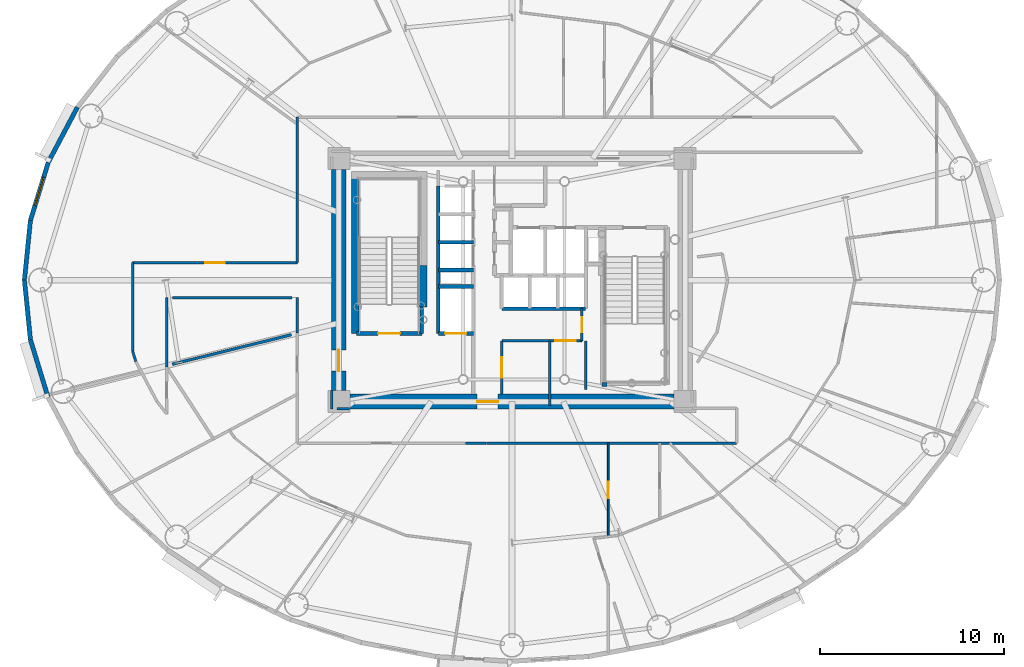
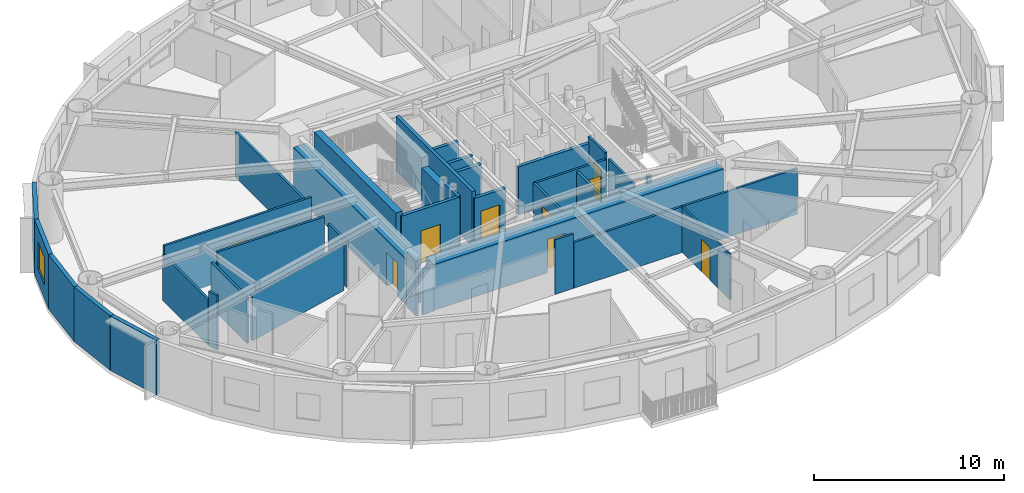
# One storey, part 9 of 19: 36 walls, 9 doors, 1 window, 10 openings.
"""IFC4 building model written with IfcOpenShell, lengths in metres."""

from ifc_helpers import new_model, si_unit, direction, frame, frame_2d, origin, origin_2d, place, context, subcontext, project, spatial, rectangle, extrude, source, transform, mapped, material, layer, layer_set, type_object, element, fill, save


model = new_model("IFC4")

# Units and contexts
model_context = context("Model", 3, precision=1e-05, world=origin(), true_north=direction((0.0, 1.0)))
body_context = subcontext(model_context, "Body", "Model", "MODEL_VIEW")
ifc_project = project(units=[si_unit("LENGTHUNIT", "METRE"), si_unit("AREAUNIT", "SQUARE_METRE"), si_unit("VOLUMEUNIT", "CUBIC_METRE"), si_unit("PLANEANGLEUNIT", "RADIAN"), si_unit("MASSUNIT", "GRAM", prefix="KILO")], contexts=[model_context])

# Site, building, storey
site_placement = place(None, origin())
site = spatial("IfcSite", under=ifc_project, at=site_placement, CompositionType="ELEMENT")
building_placement = place(site_placement, origin())
building = spatial("IfcBuilding", under=site, at=building_placement, Name="Linh Dai School and Residence Tower", CompositionType="ELEMENT")
storey_placement = place(building_placement, frame((0.0, 0.0, 193.64990234375)))
storey = spatial("IfcBuildingStorey", under=building, at=storey_placement, Name="L47", CompositionType="ELEMENT", Elevation=193.64990234375)

# Wall
ifc_material_1 = material(Name="Precast Concrete B45 (C35/45)", Category="concrete")
ifc_layer_1 = layer(ifc_material_1, 0.239990234375)
ifc_layer_set_1 = layer_set([ifc_layer_1], Name="Precast Concrete B45 (C35/45)")
wall_type_1 = type_object("IfcWallType", Name="EW-TC-240", PredefinedType="SOLIDWALL", material=ifc_layer_set_1)
wall_1_placement = place(storey_placement, frame((10.8173828125, 33.388916015625, 0.0), z_axis=(0.0, 0.0, 1.0), x_axis=(0.467586874938, 0.88394712194, 0.0)))
element("IfcWall", 1, at=wall_1_placement, inside=storey, type_object=wall_type_1, Name="L47 Terracotta Exterior Wall 18", PredefinedType="SOLIDWALL", context=body_context, shape_type="SweptSolid", body=[
    extrude(rectangle(XDim=3.393310546875, YDim=0.239990234375, at=frame_2d((1.69677734375, 0.0))), origin(), (0.0, 0.0, 1.0), 3.5),
])

# Wall, opening, window
wall_2_placement = place(storey_placement, frame((9.85009765625, 30.233642578125, 0.0), z_axis=(0.0, 0.0, 1.0), x_axis=(0.293097995113, 0.956082405058, 0.0)))
wall_2 = element("IfcWall", 2, at=wall_2_placement, inside=storey, type_object=wall_type_1, Name="L47 Terracotta Exterior Wall 19", PredefinedType="SOLIDWALL", context=body_context, shape_type="SweptSolid", body=[
    extrude(rectangle(XDim=3.30029296875, YDim=0.239990234375, at=frame_2d((1.650146484375, 0.0))), origin(), (0.0, 0.0, 1.0), 3.5),
])
opening_1_placement = place(wall_2_placement, frame((0.85009765625, 0.0, 0.89990234375)))
opening_1 = element("IfcOpeningElement", 3, at=opening_1_placement, cuts=wall_2, Name="Opening W2", PredefinedType="OPENING", context=body_context, shape_type="SweptSolid", body=[
    extrude(rectangle(XDim=1.60009765625, YDim=1.75, at=origin_2d()), frame((0.800048828125, 0.1298828125, 0.875), z_axis=(0.0, -1.0, 0.0), x_axis=(1.0, 0.0, 0.0)), (0.0, 0.0, 1.0), 0.260009765625),
])
ifc_material_2 = material(Name="Double Low-E Insulated Glazing", Category="glass")
window_type = type_object("IfcWindowType", Name="WN-RES-1600x1750", PartitioningType="DOUBLE_PANEL_VERTICAL", PredefinedType="WINDOW", material=ifc_material_2)
shared_shape_1 = source(origin(), body_context, "Body", "SweptSolid", [
    extrude(rectangle(XDim=1.60009765625, YDim=1.75, at=origin_2d()), frame((0.800048828125, 0.030029296875, 0.875), z_axis=(0.0, -1.0, 0.0), x_axis=(1.0, 0.0, 0.0)), (0.0, 0.0, 1.0), 0.06005859375),
])
window_placement = place(opening_1_placement, origin())
window = element("IfcWindow", 4, at=window_placement, inside=storey, type_object=window_type, Name="L47 Exterior Window 19.1", OverallHeight=1.75, OverallWidth=1.60009765625, PartitioningType="DOUBLE_PANEL_VERTICAL", PredefinedType="WINDOW", context=body_context, shape_type="MappedRepresentation", body=[
    mapped(shared_shape_1, transform((0.0, 0.0, 0.0), x_axis=(1.0, 0.0, 0.0), y_axis=(0.0, 1.0, 0.0), z_axis=(0.0, 0.0, 1.0), scale=1.0)),
])
fill(opening_1, window)

# Walls
for number, where, z_axis, x_axis, name in (
    (5, (9.52490234375, 27.0, 0.0), (0.0, 0.0, 1.0), (0.100061534614, 0.994981250723, 0.0), "L47 Terracotta Exterior Wall 20"),
    (6, (9.85009765625, 23.766357421875, 0.0), (0.0, 0.0, 1.0), (-0.100061534614, 0.994981250723, 0.0), "L47 Terracotta Exterior Wall 21"),
):
    element("IfcWall", number, at=place(storey_placement, frame(where, z_axis=z_axis, x_axis=x_axis)), inside=storey, type_object=wall_type_1, Name=name, PredefinedType="SOLIDWALL", context=body_context, shape_type="SweptSolid", body=[
        extrude(rectangle(XDim=3.25, YDim=0.239990234375, at=frame_2d((1.625, 0.0))), origin(), (0.0, 0.0, 1.0), 3.5),
    ])
wall_3_placement = place(storey_placement, frame((10.8173828125, 20.611083984375, 0.0), z_axis=(0.0, 0.0, 1.0), x_axis=(-0.293097995113, 0.956082405058, 0.0)))
element("IfcWall", 7, at=wall_3_placement, inside=storey, type_object=wall_type_1, Name="L47 Terracotta Exterior Wall 22", PredefinedType="SOLIDWALL", context=body_context, shape_type="SweptSolid", body=[
    extrude(rectangle(XDim=3.30029296875, YDim=0.239990234375, at=frame_2d((1.650146484375, 0.0))), origin(), (0.0, 0.0, 1.0), 3.5),
])
ifc_material_3 = material(Name="Autoclaved Aerated Concrete Blockwork", Category="masonry")
ifc_layer_2 = layer(ifc_material_3, 0.135009765625)
ifc_layer_set_2 = layer_set([ifc_layer_2], Name="Autoclaved Aerated Concrete Blockwork")
wall_type_2 = type_object("IfcWallType", Name="IW-CORR-135-EI90", PredefinedType="PARTITIONING", material=ifc_layer_set_2)
wall_4_placement = place(storey_placement, frame((15.39990234375, 23.14599609375, 0.0), z_axis=(0.0, 0.0, 1.0), x_axis=(0.0, 1.0, 0.0)))
element("IfcWall", 8, at=wall_4_placement, inside=storey, type_object=wall_type_2, Name="L47 Interior Partition Wall 003", PredefinedType="PARTITIONING", context=body_context, shape_type="SweptSolid", body=[
    extrude(rectangle(XDim=4.803955078125, YDim=0.135009765625, at=frame_2d((2.40185546875, 0.0))), origin(), (0.0, 0.0, 1.0), 2.93505859375),
])
wall_5_placement = place(storey_placement, frame((15.39990234375, 23.14599609375, 0.0), z_axis=(0.0, 0.0, 1.0), x_axis=(0.293335154151, -0.956009669061, 0.0)))
element("IfcWall", 9, at=wall_5_placement, inside=storey, type_object=wall_type_2, Name="L47 Interior Partition Wall 004", PredefinedType="PARTITIONING", context=body_context, shape_type="SweptSolid", body=[
    extrude(rectangle(XDim=0.59423828125, YDim=0.135009765625, at=frame_2d((0.297119140625, 0.0))), origin(), (0.0, 0.0, 1.0), 3.5),
])

# Wall, opening, door
wall_6_placement = place(storey_placement, frame((15.39990234375, 27.949951171875, 0.0), z_axis=(0.0, 0.0, 1.0), x_axis=(1.0, 0.0, 0.0)))
wall_6 = element("IfcWall", 10, at=wall_6_placement, inside=storey, type_object=wall_type_2, Name="L47 Interior Partition Wall 005", PredefinedType="PARTITIONING", context=body_context, shape_type="SweptSolid", body=[
    extrude(rectangle(XDim=8.9501953125, YDim=0.135009765625, at=frame_2d((4.47509765625, 0.0))), origin(), (0.0, 0.0, 1.0), 3.5),
])
opening_2_placement = place(wall_6_placement, frame((3.949951171875, 0.0, 0.0)))
opening_2 = element("IfcOpeningElement", 11, at=opening_2_placement, cuts=wall_6, Name="Opening D04", PredefinedType="OPENING", context=body_context, shape_type="SweptSolid", body=[
    extrude(rectangle(XDim=1.050048828125, YDim=2.14990234375, at=origin_2d()), frame((0.52490234375, 0.07763671875, 1.074951171875), z_axis=(0.0, -1.0, 0.0), x_axis=(1.0, 0.0, 0.0)), (0.0, 0.0, 1.0), 0.155029296875),
])
ifc_material_4 = material(Name="Acoustic Vision-Panel Timber Classroom Door", Category="wood")
door_type_1 = type_object("IfcDoorType", Name="DR-SCH-1050x2150-FD60S", OperationType="NOTDEFINED", PredefinedType="DOOR", material=ifc_material_4)
shared_shape_2 = source(origin(), body_context, "Body", "SweptSolid", [
    extrude(rectangle(XDim=1.050048828125, YDim=2.14990234375, at=origin_2d()), frame((0.52490234375, 0.02490234375, 1.074951171875), z_axis=(0.0, -1.0, 0.0), x_axis=(1.0, 0.0, 0.0)), (0.0, 0.0, 1.0), 0.050048828125),
])
door_1_placement = place(opening_2_placement, origin())
door_1 = element("IfcDoor", 12, at=door_1_placement, inside=storey, type_object=door_type_1, Name="L47 Sky Tea and Calligraphy Room Door", OperationType="SINGLE_SWING_RIGHT", OverallHeight=2.14990234375, OverallWidth=1.050048828125, PredefinedType="DOOR", context=body_context, shape_type="MappedRepresentation", body=[
    mapped(shared_shape_2, transform((0.0, 0.0, 0.0), x_axis=(1.0, 0.0, 0.0), y_axis=(0.0, 1.0, 0.0), z_axis=(0.0, 0.0, 1.0), scale=1.0)),
])
fill(opening_2, door_1)

# Walls
wall_7_placement = place(storey_placement, frame((24.35009765625, 27.949951171875, 0.0), z_axis=(0.0, 0.0, 1.0), x_axis=(0.0, 1.0, 0.0)))
element("IfcWall", 13, at=wall_7_placement, inside=storey, type_object=wall_type_2, Name="L47 Interior Partition Wall 021", PredefinedType="PARTITIONING", context=body_context, shape_type="SweptSolid", body=[
    extrude(rectangle(XDim=7.900146484375, YDim=0.135009765625, at=frame_2d((3.9501953125, 0.0))), origin(), (0.0, 0.0, 1.0), 2.93505859375),
])
wall_8_placement = place(storey_placement, frame((34.604736328125, 18.14990234375, 0.0), z_axis=(0.0, 0.0, 1.0), x_axis=(1.0, 0.0, 0.0)))
element("IfcWall", 14, at=wall_8_placement, inside=storey, type_object=wall_type_2, Name="L47 Interior Partition Wall 037", PredefinedType="PARTITIONING", context=body_context, shape_type="SweptSolid", body=[
    extrude(rectangle(XDim=13.59521484375, YDim=0.135009765625, at=frame_2d((6.797607421875, 0.0))), origin(), (0.0, 0.0, 1.0), 2.93505859375),
])

# Wall, opening, door
wall_9_placement = place(storey_placement, frame((35.449951171875, 20.800048828125, 0.0), z_axis=(0.0, 0.0, 1.0), x_axis=(0.0, 1.0, 0.0)))
wall_9 = element("IfcWall", 15, at=wall_9_placement, inside=storey, type_object=wall_type_2, Name="L47 Interior Partition Wall 044", PredefinedType="PARTITIONING", context=body_context, shape_type="SweptSolid", body=[
    extrude(rectangle(XDim=2.89990234375, YDim=0.135009765625, at=frame_2d((1.449951171875, 0.0))), origin(), (0.0, 0.0, 1.0), 3.085205078125),
])
opening_3_placement = place(wall_9_placement, frame((0.89990234375, 0.0, 0.0)))
opening_3 = element("IfcOpeningElement", 16, at=opening_3_placement, cuts=wall_9, Name="Opening D07", PredefinedType="OPENING", context=body_context, shape_type="SweptSolid", body=[
    extrude(rectangle(XDim=1.10009765625, YDim=2.14990234375, at=origin_2d()), frame((0.550048828125, 0.07763671875, 1.074951171875), z_axis=(0.0, -1.0, 0.0), x_axis=(1.0, 0.0, 0.0)), (0.0, 0.0, 1.0), 0.155029296875),
])
ifc_material_5 = material(Name="Fire-Rated Louvred Steel Plant Door", Category="steel")
door_type_2 = type_object("IfcDoorType", Name="DR-PLT-1100x2150-FD60S", OperationType="NOTDEFINED", PredefinedType="DOOR", material=ifc_material_5)
shared_shape_3 = source(origin(), body_context, "Body", "SweptSolid", [
    extrude(rectangle(XDim=1.10009765625, YDim=2.14990234375, at=origin_2d()), frame((0.550048828125, 0.02490234375, 1.074951171875), z_axis=(0.0, -1.0, 0.0), x_axis=(1.0, 0.0, 0.0)), (0.0, 0.0, 1.0), 0.050048828125),
])
door_2_placement = place(opening_3_placement, origin())
door_2 = element("IfcDoor", 17, at=door_2_placement, inside=storey, type_object=door_type_2, Name="L47 Floor Electrical Switchroom Door", OperationType="SINGLE_SWING_RIGHT", OverallHeight=2.14990234375, OverallWidth=1.10009765625, PredefinedType="DOOR", context=body_context, shape_type="MappedRepresentation", body=[
    mapped(shared_shape_3, transform((0.0, 0.0, 0.0), x_axis=(1.0, 0.0, 0.0), y_axis=(0.0, 1.0, 0.0), z_axis=(0.0, 0.0, 1.0), scale=1.0)),
])
fill(opening_3, door_2)

wall_10_placement = place(storey_placement, frame((35.449951171875, 23.699951171875, 0.0), z_axis=(0.0, 0.0, 1.0), x_axis=(1.0, 0.0, 0.0)))
wall_10 = element("IfcWall", 18, at=wall_10_placement, inside=storey, type_object=wall_type_2, Name="L47 Interior Partition Wall 045", PredefinedType="PARTITIONING", context=body_context, shape_type="SweptSolid", body=[
    extrude(rectangle(XDim=4.35009765625, YDim=0.135009765625, at=frame_2d((2.175048828125, 0.0))), origin(), (0.0, 0.0, 1.0), 3.085205078125),
])
opening_4_placement = place(wall_10_placement, frame((2.905029296875, 0.0, 0.0)))
opening_4 = element("IfcOpeningElement", 19, at=opening_4_placement, cuts=wall_10, Name="Opening D07", PredefinedType="OPENING", context=body_context, shape_type="SweptSolid", body=[
    extrude(rectangle(XDim=1.10009765625, YDim=2.14990234375, at=origin_2d()), frame((0.550048828125, 0.07763671875, 1.074951171875), z_axis=(0.0, -1.0, 0.0), x_axis=(1.0, 0.0, 0.0)), (0.0, 0.0, 1.0), 0.155029296875),
])
door_3_placement = place(opening_4_placement, origin())
door_3 = element("IfcDoor", 20, at=door_3_placement, inside=storey, type_object=door_type_2, Name="L47 Telecom Node Room Door", OperationType="SINGLE_SWING_LEFT", OverallHeight=2.14990234375, OverallWidth=1.10009765625, PredefinedType="DOOR", context=body_context, shape_type="MappedRepresentation", body=[
    mapped(shared_shape_3, transform((0.0, 0.0, 0.0), x_axis=(1.0, 0.0, 0.0), y_axis=(0.0, 1.0, 0.0), z_axis=(0.0, 0.0, 1.0), scale=1.0)),
])
fill(opening_4, door_3)

wall_11_placement = place(storey_placement, frame((39.800048828125, 23.699951171875, 0.0), z_axis=(0.0, 0.0, 1.0), x_axis=(0.0, 1.0, 0.0)))
wall_11 = element("IfcWall", 21, at=wall_11_placement, inside=storey, type_object=wall_type_2, Name="L47 Interior Partition Wall 060", PredefinedType="PARTITIONING", context=body_context, shape_type="SweptSolid", body=[
    extrude(rectangle(XDim=1.75, YDim=0.135009765625, at=frame_2d((0.875, 0.0))), origin(), (0.0, 0.0, 1.0), 3.5),
])
opening_5_placement = place(wall_11_placement, frame((0.465087890625, 0.0, 0.0)))
opening_5 = element("IfcOpeningElement", 22, at=opening_5_placement, cuts=wall_11, Name="Opening D06", PredefinedType="OPENING", context=body_context, shape_type="SweptSolid", body=[
    extrude(rectangle(XDim=0.820068359375, YDim=2.10009765625, at=origin_2d()), frame((0.41015625, 0.07763671875, 1.050048828125), z_axis=(0.0, -1.0, 0.0), x_axis=(1.0, 0.0, 0.0)), (0.0, 0.0, 1.0), 0.155029296875),
])
ifc_material_6 = material(Name="Moisture-Resistant Timber Bathroom Door", Category="wood")
door_type_3 = type_object("IfcDoorType", Name="DR-WET-820x2100", OperationType="NOTDEFINED", PredefinedType="DOOR", material=ifc_material_6)
shared_shape_4 = source(origin(), body_context, "Body", "SweptSolid", [
    extrude(rectangle(XDim=0.820068359375, YDim=2.10009765625, at=origin_2d()), frame((0.41015625, 0.02490234375, 1.050048828125), z_axis=(0.0, -1.0, 0.0), x_axis=(1.0, 0.0, 0.0)), (0.0, 0.0, 1.0), 0.050048828125),
])
door_4_placement = place(opening_5_placement, origin())
door_4 = element("IfcDoor", 23, at=door_4_placement, inside=storey, type_object=door_type_3, Name="L47 East Linen Store Door", OperationType="SINGLE_SWING_LEFT", OverallHeight=2.10009765625, OverallWidth=0.820068359375, PredefinedType="DOOR", context=body_context, shape_type="MappedRepresentation", body=[
    mapped(shared_shape_4, transform((0.0, 0.0, 0.0), x_axis=(1.0, 0.0, 0.0), y_axis=(0.0, 1.0, 0.0), z_axis=(0.0, 0.0, 1.0), scale=1.0)),
])
fill(opening_5, door_4)

# Walls
wall_12_placement = place(storey_placement, frame((40.0, 23.699951171875, 0.0), z_axis=(0.0, 0.0, 1.0), x_axis=(0.0, -1.0, 0.0)))
element("IfcWall", 24, at=wall_12_placement, inside=storey, type_object=wall_type_2, Name="L47 Interior Partition Wall 095", PredefinedType="PARTITIONING", context=body_context, shape_type="SweptSolid", body=[
    extrude(rectangle(XDim=2.639892578125, YDim=0.135009765625, at=frame_2d((1.31982421875, 0.0))), origin(), (0.0, 0.0, 1.0), 3.03515625),
])
wall_13_placement = place(storey_placement, frame((17.25, 26.050048828125, 0.0), z_axis=(0.0, 0.0, 1.0), x_axis=(0.0, -1.0, 0.0)))
element("IfcWall", 25, at=wall_13_placement, inside=storey, type_object=wall_type_2, Name="L47 Interior Partition Wall 098", PredefinedType="PARTITIONING", context=body_context, shape_type="SweptSolid", body=[
    extrude(rectangle(XDim=3.758056640625, YDim=0.135009765625, at=frame_2d((1.87890625, 0.0))), origin(), (0.0, 0.0, 1.0), 2.93505859375),
])
wall_14_placement = place(storey_placement, frame((26.199951171875, 20.989990234375, 0.0), z_axis=(0.0, 0.0, 1.0), x_axis=(0.0, -1.0, 0.0)))
element("IfcWall", 26, at=wall_14_placement, inside=storey, type_object=wall_type_2, Name="L47 Interior Partition Wall 103", PredefinedType="PARTITIONING", context=body_context, shape_type="SweptSolid", body=[
    extrude(rectangle(XDim=0.989990234375, YDim=0.135009765625, at=frame_2d((0.4951171875, 0.0))), origin(), (0.0, 0.0, 1.0), 3.5),
])
wall_15_placement = place(storey_placement, frame((26.507568359375, 20.0, 0.0), z_axis=(0.0, 0.0, 1.0), x_axis=(1.0, 0.0, 0.0)))
element("IfcWall", 27, at=wall_15_placement, inside=storey, type_object=wall_type_2, Name="L47 Interior Partition Wall 104", PredefinedType="PARTITIONING", context=body_context, shape_type="SweptSolid", body=[
    extrude(rectangle(XDim=0.682373046875, YDim=0.135009765625, at=frame_2d((0.34130859375, 0.0))), origin(), (0.0, 0.0, 1.0), 2.93505859375),
])
wall_16_placement = place(storey_placement, frame((34.5947265625, 18.14990234375, 0.0), z_axis=(0.0, 0.0, 1.0), x_axis=(-1.0, 0.0, 0.0)))
element("IfcWall", 28, at=wall_16_placement, inside=storey, type_object=wall_type_2, Name="L47 Interior Partition Wall 106", PredefinedType="PARTITIONING", context=body_context, shape_type="SweptSolid", body=[
    extrude(rectangle(XDim=1.1259765625, YDim=0.135009765625, at=frame_2d((0.56298828125, 0.0))), origin(), (0.0, 0.0, 1.0), 3.5),
])
wall_17_placement = place(storey_placement, frame((24.35009765625, 24.12255859375, 0.0), z_axis=(0.0, 0.0, 1.0), x_axis=(0.0, 1.0, 0.0)))
element("IfcWall", 29, at=wall_17_placement, inside=storey, type_object=wall_type_2, Name="L47 Interior Partition Wall 107", PredefinedType="PARTITIONING", context=body_context, shape_type="SweptSolid", body=[
    extrude(rectangle(XDim=1.927490234375, YDim=0.135009765625, at=frame_2d((0.9638671875, 0.0))), origin(), (0.0, 0.0, 1.0), 2.93505859375),
])
wall_18_placement = place(storey_placement, frame((24.04248046875, 26.050048828125, 0.0), z_axis=(0.0, 0.0, 1.0), x_axis=(-1.0, 0.0, 0.0)))
element("IfcWall", 30, at=wall_18_placement, inside=storey, type_object=wall_type_2, Name="L47 Interior Partition Wall 108", PredefinedType="PARTITIONING", context=body_context, shape_type="SweptSolid", body=[
    extrude(rectangle(XDim=6.48486328125, YDim=0.135009765625, at=frame_2d((3.242431640625, 0.0))), origin(), (0.0, 0.0, 1.0), 3.5),
])
ifc_layer_3 = layer(ifc_material_3, 0.14990234375)
ifc_layer_set_3 = layer_set([ifc_layer_3], Name="Autoclaved Aerated Concrete Blockwork")
wall_type_3 = type_object("IfcWallType", Name="IW-SCH-150-EI60", PredefinedType="PARTITIONING", material=ifc_layer_set_3)
wall_19_placement = place(storey_placement, frame((38.050048828125, 20.179931640625, 0.0), z_axis=(0.0, 0.0, 1.0), x_axis=(0.0, 1.0, 0.0)))
element("IfcWall", 31, at=wall_19_placement, inside=storey, type_object=wall_type_3, Name="L47 Interior Partition Wall 056", PredefinedType="PARTITIONING", context=body_context, shape_type="SweptSolid", body=[
    extrude(rectangle(XDim=3.52001953125, YDim=0.14990234375, at=frame_2d((1.760009765625, 0.0))), origin(), (0.0, 0.0, 1.0), 2.93505859375),
])
wall_20_placement = place(storey_placement, frame((17.5576171875, 22.42919921875, 0.0), z_axis=(0.0, 0.0, 1.0), x_axis=(0.970632119323, 0.240568678214, 0.0)))
element("IfcWall", 32, at=wall_20_placement, inside=storey, type_object=wall_type_3, Name="L47 Interior Partition Wall 109", PredefinedType="PARTITIONING", context=body_context, shape_type="SweptSolid", body=[
    extrude(rectangle(XDim=6.660400390625, YDim=0.14990234375, at=frame_2d((3.330078125, 0.0))), origin(), (0.0, 0.0, 1.0), 2.93505859375),
])

# Wall, opening, door
ifc_material_7 = material(Name="Concrete B45 (C35/45)", Category="concrete")
ifc_layer_4 = layer(ifc_material_7, 0.199951171875)
ifc_layer_set_4 = layer_set([ifc_layer_4], Name="Concrete B45 (C35/45)")
wall_type_4 = type_object("IfcWallType", Name="IW-SHAFT-200-EI120", PredefinedType="PARTITIONING", material=ifc_layer_set_4)
wall_21_placement = place(storey_placement, frame((27.56005859375, 24.10009765625, 0.0), z_axis=(0.0, 0.0, 1.0), x_axis=(1.0, 0.0, 0.0)))
wall_21 = element("IfcWall", 33, at=wall_21_placement, inside=storey, type_object=wall_type_4, Name="L47 Interior Partition Wall 026", PredefinedType="PARTITIONING", context=body_context, shape_type="SweptSolid", body=[
    extrude(rectangle(XDim=3.5400390625, YDim=0.199951171875, at=frame_2d((1.77001953125, 0.0))), origin(), (0.0, 0.0, 1.0), 3.5),
])
opening_6_placement = place(wall_21_placement, frame((1.169921875, 0.0, 0.0)))
opening_6 = element("IfcOpeningElement", 34, at=opening_6_placement, cuts=wall_21, Name="Opening D01", PredefinedType="OPENING", context=body_context, shape_type="SweptSolid", body=[
    extrude(rectangle(XDim=1.199951171875, YDim=2.14990234375, at=origin_2d()), frame((0.60009765625, 0.10986328125, 1.074951171875), z_axis=(0.0, -1.0, 0.0), x_axis=(1.0, 0.0, 0.0)), (0.0, 0.0, 1.0), 0.219970703125),
])
ifc_material_8 = material(Name="Fire-Rated Steel Door Leaf", Category="steel")
door_type_4 = type_object("IfcDoorType", Name="DR-STAIR-1200x2150-FD90S", OperationType="NOTDEFINED", PredefinedType="DOOR", material=ifc_material_8)
shared_shape_5 = source(origin(), body_context, "Body", "SweptSolid", [
    extrude(rectangle(XDim=1.199951171875, YDim=2.14990234375, at=origin_2d()), frame((0.60009765625, 0.02490234375, 1.074951171875), z_axis=(0.0, -1.0, 0.0), x_axis=(1.0, 0.0, 0.0)), (0.0, 0.0, 1.0), 0.050048828125),
])
door_5_placement = place(opening_6_placement, origin())
door_5 = element("IfcDoor", 35, at=door_5_placement, inside=storey, type_object=door_type_4, Name="L47 Core Smokeproof Exit Stair ST1 Door", OperationType="SINGLE_SWING_RIGHT", OverallHeight=2.14990234375, OverallWidth=1.199951171875, PredefinedType="DOOR", context=body_context, shape_type="MappedRepresentation", body=[
    mapped(shared_shape_5, transform((0.0, 0.0, 0.0), x_axis=(1.0, 0.0, 0.0), y_axis=(0.0, 1.0, 0.0), z_axis=(0.0, 0.0, 1.0), scale=1.0)),
])
fill(opening_6, door_5)

# Walls
wall_22_placement = place(storey_placement, frame((31.10009765625, 24.10009765625, 0.0), z_axis=(0.0, 0.0, 1.0), x_axis=(0.0, 1.0, 0.0)))
element("IfcWall", 36, at=wall_22_placement, inside=storey, type_object=wall_type_4, Name="L47 Interior Partition Wall 028", PredefinedType="PARTITIONING", context=body_context, shape_type="SweptSolid", body=[
    extrude(rectangle(XDim=1.43994140625, YDim=0.199951171875, at=frame_2d((0.719970703125, 0.0))), origin(), (0.0, 0.0, 1.0), 3.5),
])
wall_23_placement = place(storey_placement, frame((32.0, 24.10009765625, 0.0), z_axis=(0.0, 0.0, 1.0), x_axis=(0.0, 1.0, 0.0)))
element("IfcWall", 37, at=wall_23_placement, inside=storey, type_object=wall_type_4, Name="L47 Interior Partition Wall 029", PredefinedType="PARTITIONING", context=body_context, shape_type="SweptSolid", body=[
    extrude(rectangle(XDim=8.0, YDim=0.199951171875, at=frame_2d((4.0, 0.0))), origin(), (0.0, 0.0, 1.0), 3.5),
])

# Wall, opening, door
wall_24_placement = place(storey_placement, frame((32.0, 24.10009765625, 0.0), z_axis=(0.0, 0.0, 1.0), x_axis=(1.0, 0.0, 0.0)))
wall_24 = element("IfcWall", 38, at=wall_24_placement, inside=storey, type_object=wall_type_4, Name="L47 Interior Partition Wall 030", PredefinedType="PARTITIONING", context=body_context, shape_type="SweptSolid", body=[
    extrude(rectangle(XDim=1.89990234375, YDim=0.199951171875, at=frame_2d((0.949951171875, 0.0))), origin(), (0.0, 0.0, 1.0), 3.085205078125),
])
opening_7_placement = place(wall_24_placement, frame((0.375, 0.0, 0.0)))
opening_7 = element("IfcOpeningElement", 39, at=opening_7_placement, cuts=wall_24, Name="Opening LD-FF2", PredefinedType="OPENING", context=body_context, shape_type="SweptSolid", body=[
    extrude(rectangle(XDim=1.14990234375, YDim=2.14990234375, at=origin_2d()), frame((0.574951171875, 0.10986328125, 1.074951171875), z_axis=(0.0, -1.0, 0.0), x_axis=(1.0, 0.0, 0.0)), (0.0, 0.0, 1.0), 0.219970703125),
])
ifc_material_9 = material(Name="Fire-Rated Stainless Steel Firefighting Lift Door", Category="steel")
door_type_5 = type_object("IfcDoorType", Name="DR-LD-FF-1150x2150-FD120", OperationType="DOUBLE_DOOR_SLIDING", PredefinedType="USERDEFINED", material=ifc_material_9)
shared_shape_6 = source(origin(), body_context, "Body", "SweptSolid", [
    extrude(rectangle(XDim=1.14990234375, YDim=2.14990234375, at=origin_2d()), frame((0.574951171875, 0.02490234375, 1.074951171875), z_axis=(0.0, -1.0, 0.0), x_axis=(1.0, 0.0, 0.0)), (0.0, 0.0, 1.0), 0.050048828125),
])
door_6_placement = place(opening_7_placement, origin())
door_6 = element("IfcDoor", 40, at=door_6_placement, inside=storey, type_object=door_type_5, Name="L47 Lift FF2 Sliding Landing Door", ObjectType="LANDING DOOR", OperationType="DOUBLE_DOOR_SLIDING", OverallHeight=2.14990234375, OverallWidth=1.14990234375, PredefinedType="USERDEFINED", context=body_context, shape_type="MappedRepresentation", body=[
    mapped(shared_shape_6, transform((0.0, 0.0, 0.0), x_axis=(1.0, 0.0, 0.0), y_axis=(0.0, 1.0, 0.0), z_axis=(0.0, 0.0, 1.0), scale=1.0)),
])
fill(opening_7, door_6)

# Walls
for number, where, z_axis, x_axis, name in (
    (41, (32.0, 26.64990234375, 0.0), (0.0, 0.0, 1.0), (1.0, 0.0, 0.0), "L47 Interior Partition Wall 031"),
    (42, (32.0, 27.550048828125, 0.0), (0.0, 0.0, 1.0), (1.0, 0.0, 0.0), "L47 Interior Partition Wall 032"),
    (43, (32.0, 29.06005859375, 0.0), (0.0, 0.0, 1.0), (1.0, 0.0, 0.0), "L47 Interior Partition Wall 033"),
):
    element("IfcWall", number, at=place(storey_placement, frame(where, z_axis=z_axis, x_axis=x_axis)), inside=storey, type_object=wall_type_4, Name=name, PredefinedType="PARTITIONING", context=body_context, shape_type="SweptSolid", body=[
        extrude(rectangle(XDim=1.89990234375, YDim=0.199951171875, at=frame_2d((0.949951171875, 0.0))), origin(), (0.0, 0.0, 1.0), 3.085205078125),
    ])
wall_25_placement = place(storey_placement, frame((35.449951171875, 25.449951171875, 0.0), z_axis=(0.0, 0.0, 1.0), x_axis=(1.0, 0.0, 0.0)))
element("IfcWall", 44, at=wall_25_placement, inside=storey, type_object=wall_type_4, Name="L47 Interior Partition Wall 047", PredefinedType="PARTITIONING", context=body_context, shape_type="SweptSolid", body=[
    extrude(rectangle(XDim=4.550048828125, YDim=0.199951171875, at=frame_2d((2.27490234375, 0.0))), origin(), (0.0, 0.0, 1.0), 3.085205078125),
])
wall_26_placement = place(storey_placement, frame((40.89990234375, 21.330078125, 0.0), z_axis=(0.0, 0.0, 1.0), x_axis=(1.0, 0.0, 0.0)))
element("IfcWall", 45, at=wall_26_placement, inside=storey, type_object=wall_type_4, Name="L47 Interior Partition Wall 066", PredefinedType="PARTITIONING", context=body_context, shape_type="SweptSolid", body=[
    extrude(rectangle(XDim=0.25, YDim=0.199951171875, at=frame_2d((0.125, 0.0))), origin(), (0.0, 0.0, 1.0), 3.03515625),
])

# Wall, opening, door
ifc_material_10 = material(Name="Gypsum Plasterboard Acoustic Stud Partition", Category="masonry")
ifc_layer_5 = layer(ifc_material_10, 0.10009765625)
ifc_layer_set_5 = layer_set([ifc_layer_5], Name="Gypsum Plasterboard Acoustic Stud Partition")
wall_type_5 = type_object("IfcWallType", Name="IW-UNIT-100", PredefinedType="PARTITIONING", material=ifc_layer_set_5)
wall_27_placement = place(storey_placement, frame((41.22705078125, 13.0673828125, 0.0), z_axis=(0.0, 0.0, 1.0), x_axis=(0.0, 1.0, 0.0)))
wall_27 = element("IfcWall", 46, at=wall_27_placement, inside=storey, type_object=wall_type_5, Name="L47 Interior Partition Wall 069", PredefinedType="PARTITIONING", context=body_context, shape_type="SweptSolid", body=[
    extrude(rectangle(XDim=5.08251953125, YDim=0.10009765625, at=frame_2d((2.541259765625, 0.0))), origin(), (0.0, 0.0, 1.0), 2.93505859375),
])
opening_8_placement = place(wall_27_placement, frame((2.09130859375, 0.0, 0.0)))
opening_8 = element("IfcOpeningElement", 47, at=opening_8_placement, cuts=wall_27, Name="Opening D05", PredefinedType="OPENING", context=body_context, shape_type="SweptSolid", body=[
    extrude(rectangle(XDim=0.89990234375, YDim=2.10009765625, at=origin_2d()), frame((0.449951171875, 0.06005859375, 1.050048828125), z_axis=(0.0, -1.0, 0.0), x_axis=(1.0, 0.0, 0.0)), (0.0, 0.0, 1.0), 0.1201171875),
])
ifc_material_11 = material(Name="Engineered Timber Internal Door", Category="wood")
door_type_6 = type_object("IfcDoorType", Name="DR-INT-900x2100", OperationType="NOTDEFINED", PredefinedType="DOOR", material=ifc_material_11)
shared_shape_7 = source(origin(), body_context, "Body", "SweptSolid", [
    extrude(rectangle(XDim=0.89990234375, YDim=2.10009765625, at=origin_2d()), frame((0.449951171875, 0.02490234375, 1.050048828125), z_axis=(0.0, -1.0, 0.0), x_axis=(1.0, 0.0, 0.0)), (0.0, 0.0, 1.0), 0.050048828125),
])
door_7_placement = place(opening_8_placement, origin())
door_7 = element("IfcDoor", 48, at=door_7_placement, inside=storey, type_object=door_type_6, Name="L47 Apartment U4701 Kitchen Door", OperationType="SINGLE_SWING_LEFT", OverallHeight=2.10009765625, OverallWidth=0.89990234375, PredefinedType="DOOR", context=body_context, shape_type="MappedRepresentation", body=[
    mapped(shared_shape_7, transform((0.0, 0.0, 0.0), x_axis=(1.0, 0.0, 0.0), y_axis=(0.0, 1.0, 0.0), z_axis=(0.0, 0.0, 1.0), scale=1.0)),
])
fill(opening_8, door_7)

# Walls
ifc_layer_6 = layer(ifc_material_7, 0.39990234375)
ifc_layer_set_6 = layer_set([ifc_layer_6], Name="Concrete B45 (C35/45)")
wall_type_6 = type_object("IfcWallType", Name="WL-CORE400", PredefinedType="SHEAR", material=ifc_layer_set_6)
wall_28_placement = place(storey_placement, frame((27.47998046875, 24.10009765625, 0.0), z_axis=(0.0, 0.0, 1.0), x_axis=(0.0, 1.0, 0.0)))
element("IfcWall", 49, at=wall_28_placement, inside=storey, type_object=wall_type_6, Name="L47 Core Stair ST1 Bearing Wall W", PredefinedType="SHEAR", context=body_context, shape_type="SweptSolid", body=[
    extrude(rectangle(XDim=8.599853515625, YDim=0.39990234375, at=frame_2d((4.2998046875, 0.0))), origin(), (0.0, 0.0, 1.0), 3.75),
])
wall_29_placement = place(storey_placement, frame((31.179931640625, 25.550048828125, 0.0), z_axis=(0.0, 0.0, 1.0), x_axis=(0.0, 1.0, 0.0)))
element("IfcWall", 50, at=wall_29_placement, inside=storey, type_object=wall_type_6, Name="L47 Internal Core Shear Wall IW", PredefinedType="SHEAR", context=body_context, shape_type="SweptSolid", body=[
    extrude(rectangle(XDim=2.25, YDim=0.39990234375, at=frame_2d((1.125, 0.0))), origin(), (0.0, 0.0, 1.0), 3.10009765625),
])

# Wall, opening, door
ifc_material_12 = material(Name="Concrete B60 (C50/60)", Category="concrete")
ifc_layer_7 = layer(ifc_material_12, 0.800048828125)
ifc_layer_set_7 = layer_set([ifc_layer_7], Name="Concrete B60 (C50/60)")
wall_type_7 = type_object("IfcWallType", Name="WL-CORE800", PredefinedType="SHEAR", material=ifc_layer_set_7)
wall_30_placement = place(storey_placement, frame((44.800048828125, 20.39990234375, 0.0), z_axis=(0.0, 0.0, 1.0), x_axis=(-1.0, 0.0, 0.0)))
wall_30 = element("IfcWall", 51, at=wall_30_placement, inside=storey, type_object=wall_type_7, Name="L47 Central Core Shear Wall S", PredefinedType="SHEAR", context=body_context, shape_type="SweptSolid", body=[
    extrude(rectangle(XDim=17.60009765625, YDim=0.800048828125, at=frame_2d((8.800048828125, 0.0))), origin(), (0.0, 0.0, 1.0), 2.9501953125),
])
opening_9_placement = place(wall_30_placement, frame((9.550048828125, 0.0, 0.0)))
opening_9 = element("IfcOpeningElement", 52, at=opening_9_placement, cuts=wall_30, Name="Opening D02", PredefinedType="OPENING", context=body_context, shape_type="SweptSolid", body=[
    extrude(rectangle(XDim=1.14990234375, YDim=2.14990234375, at=origin_2d()), frame((0.574951171875, 0.41015625, 1.074951171875), z_axis=(0.0, -1.0, 0.0), x_axis=(1.0, 0.0, 0.0)), (0.0, 0.0, 1.0), 0.820068359375),
])
ifc_material_13 = material(Name="Fire-Rated Glazed Steel Lobby Door", Category="steel")
door_type_7 = type_object("IfcDoorType", Name="DR-LOBBY-1150x2150-FD90S", OperationType="NOTDEFINED", PredefinedType="DOOR", material=ifc_material_13)
shared_shape_8 = source(origin(), body_context, "Body", "SweptSolid", [
    extrude(rectangle(XDim=1.14990234375, YDim=2.14990234375, at=origin_2d()), frame((0.574951171875, 0.02490234375, 1.074951171875), z_axis=(0.0, -1.0, 0.0), x_axis=(1.0, 0.0, 0.0)), (0.0, 0.0, 1.0), 0.050048828125),
])
door_8_placement = place(opening_9_placement, origin())
door_8 = element("IfcDoor", 53, at=door_8_placement, inside=storey, type_object=door_type_7, Name="L47 Passenger Foyer Access Door", OperationType="SINGLE_SWING_LEFT", OverallHeight=2.14990234375, OverallWidth=1.14990234375, PredefinedType="DOOR", context=body_context, shape_type="MappedRepresentation", body=[
    mapped(shared_shape_8, transform((0.0, 0.0, 0.0), x_axis=(1.0, 0.0, 0.0), y_axis=(0.0, 1.0, 0.0), z_axis=(0.0, 0.0, 1.0), scale=1.0)),
])
fill(opening_9, door_8)

wall_31_placement = place(storey_placement, frame((26.60009765625, 21.0, 0.0), z_axis=(0.0, 0.0, 1.0), x_axis=(0.0, 1.0, 0.0)))
wall_31 = element("IfcWall", 54, at=wall_31_placement, inside=storey, type_object=wall_type_7, Name="L47 Central Core Shear Wall W", PredefinedType="SHEAR", context=body_context, shape_type="SweptSolid", body=[
    extrude(rectangle(XDim=12.0, YDim=0.800048828125, at=frame_2d((6.0, 0.0))), origin(), (0.0, 0.0, 1.0), 2.9501953125),
])
opening_10_placement = place(wall_31_placement, frame((1.061279296875, 0.0, 0.0)))
opening_10 = element("IfcOpeningElement", 55, at=opening_10_placement, cuts=wall_31, Name="Opening D02", PredefinedType="OPENING", context=body_context, shape_type="SweptSolid", body=[
    extrude(rectangle(XDim=1.14990234375, YDim=2.14990234375, at=origin_2d()), frame((0.574951171875, 0.41015625, 1.074951171875), z_axis=(0.0, -1.0, 0.0), x_axis=(1.0, 0.0, 0.0)), (0.0, 0.0, 1.0), 0.820068359375),
])
door_9_placement = place(opening_10_placement, origin())
door_9 = element("IfcDoor", 56, at=door_9_placement, inside=storey, type_object=door_type_7, Name="L47 Firefighting Lobby Door", OperationType="SINGLE_SWING_LEFT", OverallHeight=2.14990234375, OverallWidth=1.14990234375, PredefinedType="DOOR", context=body_context, shape_type="MappedRepresentation", body=[
    mapped(shared_shape_8, transform((0.0, 0.0, 0.0), x_axis=(1.0, 0.0, 0.0), y_axis=(0.0, 1.0, 0.0), z_axis=(0.0, 0.0, 1.0), scale=1.0)),
])
fill(opening_10, door_9)

save(model, "model.ifc")
